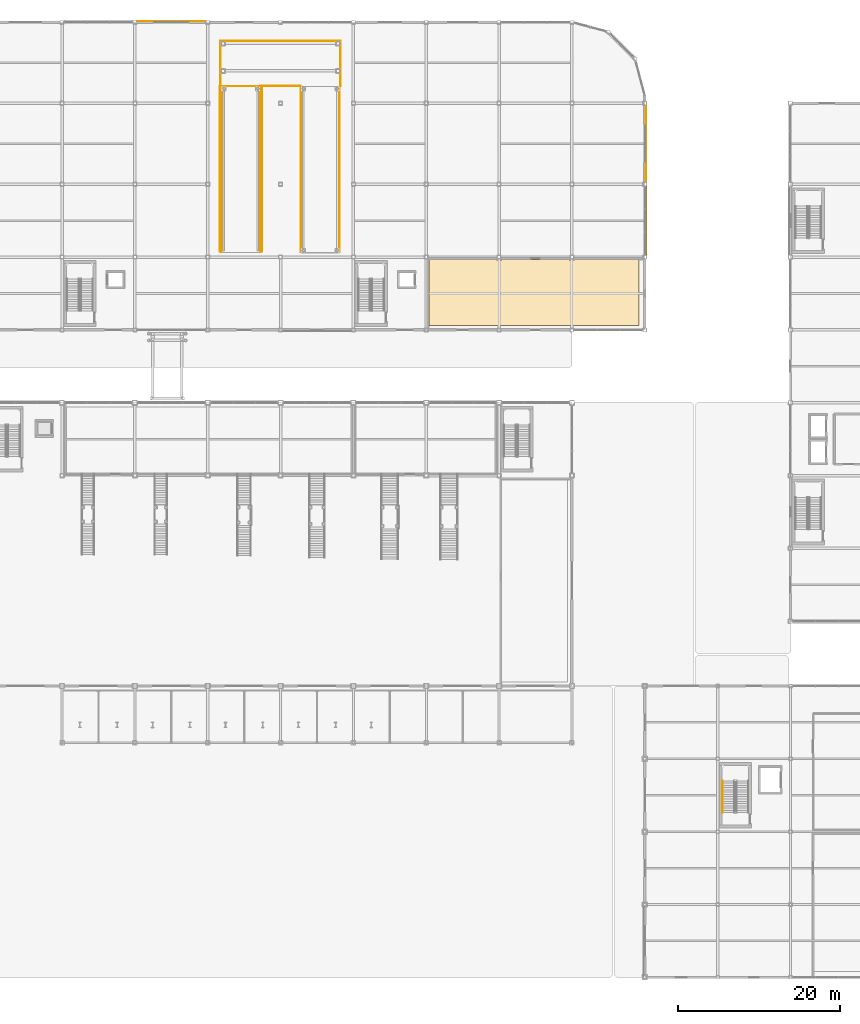
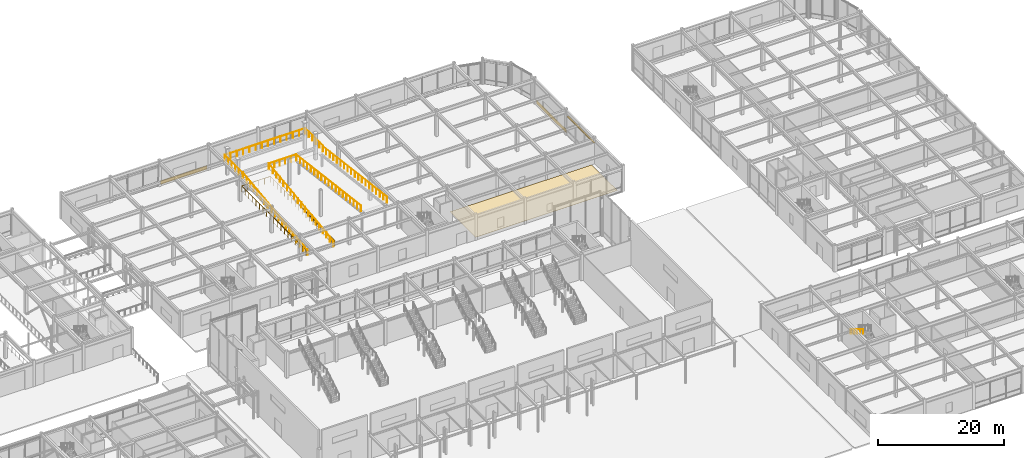
# One storey, part 115 of 123: 8 railings, 3 coverings, 1 shading device.
"""IFC4 building model written with IfcOpenShell, lengths in metres."""

from ifc_helpers import new_model, si_unit, direction, frame, origin, origin_2d, place, context, subcontext, project, spatial, polyline, rectangle, circle, outline, extrude, material, layer, layer_set, material_profile, profile_set, type_object, element, save


model = new_model("IFC4")

# Units and contexts
model_context = context("Model", 3, precision=1e-05, world=origin(), true_north=direction((0.0, 1.0)))
body_context = subcontext(model_context, "Body", "Model", "MODEL_VIEW")
ifc_project = project(units=[si_unit("LENGTHUNIT", "METRE"), si_unit("AREAUNIT", "SQUARE_METRE"), si_unit("VOLUMEUNIT", "CUBIC_METRE"), si_unit("PLANEANGLEUNIT", "RADIAN"), si_unit("MASSUNIT", "GRAM", prefix="KILO")], contexts=[model_context])

# Site, building, storey
site_placement = place(None, origin())
site = spatial("IfcSite", under=ifc_project, at=site_placement, CompositionType="ELEMENT")
building_placement = place(site_placement, origin())
building = spatial("IfcBuilding", under=site, at=building_placement, Name="Suzunagisa Mobility Hub", CompositionType="ELEMENT")
storey_placement = place(building_placement, origin())
storey = spatial("IfcBuildingStorey", under=building, at=storey_placement, Name="L00", CompositionType="ELEMENT", Elevation=0.0)

# Railings
ifc_material_1 = material(Name="Stainless Steel SUS304", Category="metal")
railing_type_1 = type_object("IfcRailingType", Name="Interior Well Guardrail IGR-01", PredefinedType="GUARDRAIL", material=ifc_material_1)
railing_1_placement = place(storey_placement, frame((73.699951171875, 89.60009765625, 0.0)))
element("IfcRailing", 1, at=railing_1_placement, inside=storey, type_object=railing_type_1, Name="L00 Vehicle Ramp Up-Flight Side Guard RG-17", PredefinedType="GUARDRAIL", context=body_context, shape_type="SweptSolid", body=[
    extrude(circle(Radius=0.02392578125, at=origin_2d()), frame((0.0, 0.0, 1.09619140625), z_axis=(0.0, 0.992277511315, 0.124037657743), x_axis=(-1.0, 0.0, 0.0)), (0.0, 0.0, 1.0), 20.55859375),
    extrude(circle(Radius=0.02099609375, at=origin_2d()), origin(), (0.0, 0.0, 1.0), 1.072021484375),
    extrude(circle(Radius=0.02099609375, at=origin_2d()), frame((0.0, 1.13330078125, 0.1416015625)), (0.0, 0.0, 1.0), 1.072021484375),
    extrude(circle(Radius=0.02099609375, at=origin_2d()), frame((0.0, 2.2666015625, 0.283447265625)), (0.0, 0.0, 1.0), 1.072021484375),
    extrude(circle(Radius=0.02099609375, at=origin_2d()), frame((0.0, 3.39990234375, 0.425048828125)), (0.0, 0.0, 1.0), 1.072021484375),
    extrude(circle(Radius=0.02099609375, at=origin_2d()), frame((0.0, 4.533203125, 0.566650390625)), (0.0, 0.0, 1.0), 1.072021484375),
    extrude(circle(Radius=0.02099609375, at=origin_2d()), frame((0.0, 5.666748046875, 0.708251953125)), (0.0, 0.0, 1.0), 1.072021484375),
    extrude(circle(Radius=0.02099609375, at=origin_2d()), frame((0.0, 6.800048828125, 0.85009765625)), (0.0, 0.0, 1.0), 1.072021484375),
    extrude(circle(Radius=0.02099609375, at=origin_2d()), frame((0.0, 7.933349609375, 0.99169921875)), (0.0, 0.0, 1.0), 1.072021484375),
    extrude(circle(Radius=0.02099609375, at=origin_2d()), frame((0.0, 9.066650390625, 1.13330078125)), (0.0, 0.0, 1.0), 1.072021484375),
    extrude(circle(Radius=0.02099609375, at=origin_2d()), frame((0.0, 10.199951171875, 1.27490234375)), (0.0, 0.0, 1.0), 1.072021484375),
    extrude(circle(Radius=0.02099609375, at=origin_2d()), frame((0.0, 11.333251953125, 1.416748046875)), (0.0, 0.0, 1.0), 1.072021484375),
    extrude(circle(Radius=0.02099609375, at=origin_2d()), frame((0.0, 12.466552734375, 1.558349609375)), (0.0, 0.0, 1.0), 1.072021484375),
    extrude(circle(Radius=0.02099609375, at=origin_2d()), frame((0.0, 13.599853515625, 1.699951171875)), (0.0, 0.0, 1.0), 1.072021484375),
    extrude(circle(Radius=0.02099609375, at=origin_2d()), frame((0.0, 14.733154296875, 1.841796875)), (0.0, 0.0, 1.0), 1.072021484375),
    extrude(circle(Radius=0.02099609375, at=origin_2d()), frame((0.0, 15.86669921875, 1.9833984375)), (0.0, 0.0, 1.0), 1.072021484375),
    extrude(circle(Radius=0.02099609375, at=origin_2d()), frame((0.0, 17.0, 2.125)), (0.0, 0.0, 1.0), 1.072021484375),
    extrude(circle(Radius=0.02099609375, at=origin_2d()), frame((0.0, 18.13330078125, 2.2666015625)), (0.0, 0.0, 1.0), 1.072021484375),
    extrude(circle(Radius=0.02099609375, at=origin_2d()), frame((0.0, 19.2666015625, 2.408447265625)), (0.0, 0.0, 1.0), 1.072021484375),
    extrude(circle(Radius=0.02099609375, at=origin_2d()), frame((0.0, 20.39990234375, 2.550048828125)), (0.0, 0.0, 1.0), 1.072021484375),
])
railing_2_placement = place(storey_placement, frame((83.5, 110.0, 2.550048828125)))
element("IfcRailing", 2, at=railing_2_placement, inside=storey, type_object=railing_type_1, Name="L00 Vehicle Ramp Upper-Flight Side Guard RG-18", PredefinedType="GUARDRAIL", context=body_context, shape_type="SweptSolid", body=[
    extrude(circle(Radius=0.02392578125, at=origin_2d()), frame((0.0, 0.0, 1.09619140625), z_axis=(0.0, -0.992277511315, 0.124037657743), x_axis=(1.0, 0.0, 0.0)), (0.0, 0.0, 1.0), 20.55859375),
    extrude(circle(Radius=0.02099609375, at=origin_2d()), origin(), (0.0, 0.0, 1.0), 1.072021484375),
    extrude(circle(Radius=0.02099609375, at=origin_2d()), frame((0.0, -1.13330078125, 0.1416015625)), (0.0, 0.0, 1.0), 1.072021484375),
    extrude(circle(Radius=0.02099609375, at=origin_2d()), frame((0.0, -2.2666015625, 0.283447265625)), (0.0, 0.0, 1.0), 1.072021484375),
    extrude(circle(Radius=0.02099609375, at=origin_2d()), frame((0.0, -3.39990234375, 0.425048828125)), (0.0, 0.0, 1.0), 1.072021484375),
    extrude(circle(Radius=0.02099609375, at=origin_2d()), frame((0.0, -4.533203125, 0.566650390625)), (0.0, 0.0, 1.0), 1.072021484375),
    extrude(circle(Radius=0.02099609375, at=origin_2d()), frame((0.0, -5.666748046875, 0.708251953125)), (0.0, 0.0, 1.0), 1.072021484375),
    extrude(circle(Radius=0.02099609375, at=origin_2d()), frame((0.0, -6.800048828125, 0.85009765625)), (0.0, 0.0, 1.0), 1.072021484375),
    extrude(circle(Radius=0.02099609375, at=origin_2d()), frame((0.0, -7.933349609375, 0.99169921875)), (0.0, 0.0, 1.0), 1.072021484375),
    extrude(circle(Radius=0.02099609375, at=origin_2d()), frame((0.0, -9.066650390625, 1.13330078125)), (0.0, 0.0, 1.0), 1.072021484375),
    extrude(circle(Radius=0.02099609375, at=origin_2d()), frame((0.0, -10.199951171875, 1.27490234375)), (0.0, 0.0, 1.0), 1.072021484375),
    extrude(circle(Radius=0.02099609375, at=origin_2d()), frame((0.0, -11.333251953125, 1.416748046875)), (0.0, 0.0, 1.0), 1.072021484375),
    extrude(circle(Radius=0.02099609375, at=origin_2d()), frame((0.0, -12.466552734375, 1.558349609375)), (0.0, 0.0, 1.0), 1.072021484375),
    extrude(circle(Radius=0.02099609375, at=origin_2d()), frame((0.0, -13.599853515625, 1.699951171875)), (0.0, 0.0, 1.0), 1.072021484375),
    extrude(circle(Radius=0.02099609375, at=origin_2d()), frame((0.0, -14.733154296875, 1.841796875)), (0.0, 0.0, 1.0), 1.072021484375),
    extrude(circle(Radius=0.02099609375, at=origin_2d()), frame((0.0, -15.86669921875, 1.9833984375)), (0.0, 0.0, 1.0), 1.072021484375),
    extrude(circle(Radius=0.02099609375, at=origin_2d()), frame((0.0, -17.0, 2.125)), (0.0, 0.0, 1.0), 1.072021484375),
    extrude(circle(Radius=0.02099609375, at=origin_2d()), frame((0.0, -18.13330078125, 2.2666015625)), (0.0, 0.0, 1.0), 1.072021484375),
    extrude(circle(Radius=0.02099609375, at=origin_2d()), frame((0.0, -19.2666015625, 2.408447265625)), (0.0, 0.0, 1.0), 1.072021484375),
    extrude(circle(Radius=0.02099609375, at=origin_2d()), frame((0.0, -20.39990234375, 2.550048828125)), (0.0, 0.0, 1.0), 1.072021484375),
])
railing_3_placement = place(storey_placement, frame((78.5, 89.60009765625, 0.0)))
element("IfcRailing", 3, at=railing_3_placement, inside=storey, type_object=railing_type_1, Name="L00 Vehicle Ramp Up-Flight Side Guard RG-19", PredefinedType="GUARDRAIL", context=body_context, shape_type="SweptSolid", body=[
    extrude(circle(Radius=0.02392578125, at=origin_2d()), frame((0.0, 0.0, 1.09619140625), z_axis=(0.0, 0.992277511315, 0.124037657743), x_axis=(-1.0, 0.0, 0.0)), (0.0, 0.0, 1.0), 20.55859375),
    extrude(circle(Radius=0.02099609375, at=origin_2d()), origin(), (0.0, 0.0, 1.0), 1.072021484375),
    extrude(circle(Radius=0.02099609375, at=origin_2d()), frame((0.0, 1.13330078125, 0.1416015625)), (0.0, 0.0, 1.0), 1.072021484375),
    extrude(circle(Radius=0.02099609375, at=origin_2d()), frame((0.0, 2.2666015625, 0.283447265625)), (0.0, 0.0, 1.0), 1.072021484375),
    extrude(circle(Radius=0.02099609375, at=origin_2d()), frame((0.0, 3.39990234375, 0.425048828125)), (0.0, 0.0, 1.0), 1.072021484375),
    extrude(circle(Radius=0.02099609375, at=origin_2d()), frame((0.0, 4.533203125, 0.566650390625)), (0.0, 0.0, 1.0), 1.072021484375),
    extrude(circle(Radius=0.02099609375, at=origin_2d()), frame((0.0, 5.666748046875, 0.708251953125)), (0.0, 0.0, 1.0), 1.072021484375),
    extrude(circle(Radius=0.02099609375, at=origin_2d()), frame((0.0, 6.800048828125, 0.85009765625)), (0.0, 0.0, 1.0), 1.072021484375),
    extrude(circle(Radius=0.02099609375, at=origin_2d()), frame((0.0, 7.933349609375, 0.99169921875)), (0.0, 0.0, 1.0), 1.072021484375),
    extrude(circle(Radius=0.02099609375, at=origin_2d()), frame((0.0, 9.066650390625, 1.13330078125)), (0.0, 0.0, 1.0), 1.072021484375),
    extrude(circle(Radius=0.02099609375, at=origin_2d()), frame((0.0, 10.199951171875, 1.27490234375)), (0.0, 0.0, 1.0), 1.072021484375),
    extrude(circle(Radius=0.02099609375, at=origin_2d()), frame((0.0, 11.333251953125, 1.416748046875)), (0.0, 0.0, 1.0), 1.072021484375),
    extrude(circle(Radius=0.02099609375, at=origin_2d()), frame((0.0, 12.466552734375, 1.558349609375)), (0.0, 0.0, 1.0), 1.072021484375),
    extrude(circle(Radius=0.02099609375, at=origin_2d()), frame((0.0, 13.599853515625, 1.699951171875)), (0.0, 0.0, 1.0), 1.072021484375),
    extrude(circle(Radius=0.02099609375, at=origin_2d()), frame((0.0, 14.733154296875, 1.841796875)), (0.0, 0.0, 1.0), 1.072021484375),
    extrude(circle(Radius=0.02099609375, at=origin_2d()), frame((0.0, 15.86669921875, 1.9833984375)), (0.0, 0.0, 1.0), 1.072021484375),
    extrude(circle(Radius=0.02099609375, at=origin_2d()), frame((0.0, 17.0, 2.125)), (0.0, 0.0, 1.0), 1.072021484375),
    extrude(circle(Radius=0.02099609375, at=origin_2d()), frame((0.0, 18.13330078125, 2.2666015625)), (0.0, 0.0, 1.0), 1.072021484375),
    extrude(circle(Radius=0.02099609375, at=origin_2d()), frame((0.0, 19.2666015625, 2.408447265625)), (0.0, 0.0, 1.0), 1.072021484375),
    extrude(circle(Radius=0.02099609375, at=origin_2d()), frame((0.0, 20.39990234375, 2.550048828125)), (0.0, 0.0, 1.0), 1.072021484375),
])
railing_4_placement = place(storey_placement, frame((88.300048828125, 110.0, 2.550048828125)))
element("IfcRailing", 4, at=railing_4_placement, inside=storey, type_object=railing_type_1, Name="L00 Vehicle Ramp Upper-Flight Side Guard RG-20", PredefinedType="GUARDRAIL", context=body_context, shape_type="SweptSolid", body=[
    extrude(circle(Radius=0.02392578125, at=origin_2d()), frame((0.0, 0.0, 1.09619140625), z_axis=(0.0, -0.992277511315, 0.124037657743), x_axis=(1.0, 0.0, 0.0)), (0.0, 0.0, 1.0), 20.55859375),
    extrude(circle(Radius=0.02099609375, at=origin_2d()), origin(), (0.0, 0.0, 1.0), 1.072021484375),
    extrude(circle(Radius=0.02099609375, at=origin_2d()), frame((0.0, -1.13330078125, 0.1416015625)), (0.0, 0.0, 1.0), 1.072021484375),
    extrude(circle(Radius=0.02099609375, at=origin_2d()), frame((0.0, -2.2666015625, 0.283447265625)), (0.0, 0.0, 1.0), 1.072021484375),
    extrude(circle(Radius=0.02099609375, at=origin_2d()), frame((0.0, -3.39990234375, 0.425048828125)), (0.0, 0.0, 1.0), 1.072021484375),
    extrude(circle(Radius=0.02099609375, at=origin_2d()), frame((0.0, -4.533203125, 0.566650390625)), (0.0, 0.0, 1.0), 1.072021484375),
    extrude(circle(Radius=0.02099609375, at=origin_2d()), frame((0.0, -5.666748046875, 0.708251953125)), (0.0, 0.0, 1.0), 1.072021484375),
    extrude(circle(Radius=0.02099609375, at=origin_2d()), frame((0.0, -6.800048828125, 0.85009765625)), (0.0, 0.0, 1.0), 1.072021484375),
    extrude(circle(Radius=0.02099609375, at=origin_2d()), frame((0.0, -7.933349609375, 0.99169921875)), (0.0, 0.0, 1.0), 1.072021484375),
    extrude(circle(Radius=0.02099609375, at=origin_2d()), frame((0.0, -9.066650390625, 1.13330078125)), (0.0, 0.0, 1.0), 1.072021484375),
    extrude(circle(Radius=0.02099609375, at=origin_2d()), frame((0.0, -10.199951171875, 1.27490234375)), (0.0, 0.0, 1.0), 1.072021484375),
    extrude(circle(Radius=0.02099609375, at=origin_2d()), frame((0.0, -11.333251953125, 1.416748046875)), (0.0, 0.0, 1.0), 1.072021484375),
    extrude(circle(Radius=0.02099609375, at=origin_2d()), frame((0.0, -12.466552734375, 1.558349609375)), (0.0, 0.0, 1.0), 1.072021484375),
    extrude(circle(Radius=0.02099609375, at=origin_2d()), frame((0.0, -13.599853515625, 1.699951171875)), (0.0, 0.0, 1.0), 1.072021484375),
    extrude(circle(Radius=0.02099609375, at=origin_2d()), frame((0.0, -14.733154296875, 1.841796875)), (0.0, 0.0, 1.0), 1.072021484375),
    extrude(circle(Radius=0.02099609375, at=origin_2d()), frame((0.0, -15.86669921875, 1.9833984375)), (0.0, 0.0, 1.0), 1.072021484375),
    extrude(circle(Radius=0.02099609375, at=origin_2d()), frame((0.0, -17.0, 2.125)), (0.0, 0.0, 1.0), 1.072021484375),
    extrude(circle(Radius=0.02099609375, at=origin_2d()), frame((0.0, -18.13330078125, 2.2666015625)), (0.0, 0.0, 1.0), 1.072021484375),
    extrude(circle(Radius=0.02099609375, at=origin_2d()), frame((0.0, -19.2666015625, 2.408447265625)), (0.0, 0.0, 1.0), 1.072021484375),
    extrude(circle(Radius=0.02099609375, at=origin_2d()), frame((0.0, -20.39990234375, 2.550048828125)), (0.0, 0.0, 1.0), 1.072021484375),
])
railing_5_placement = place(storey_placement, frame((73.60009765625, 110.10009765625, 2.550048828125)))
element("IfcRailing", 5, at=railing_5_placement, inside=storey, type_object=railing_type_1, Name="L00 Vehicle Ramp Turn-Deck Guardrail RG-21", PredefinedType="GUARDRAIL", context=body_context, shape_type="SweptSolid", body=[
    extrude(circle(Radius=0.02392578125, at=origin_2d()), frame((0.0, 0.0, 1.09619140625), z_axis=(0.0, 1.0, 0.0), x_axis=(-1.0, 0.0, 0.0)), (0.0, 0.0, 1.0), 5.599853515625),
    extrude(circle(Radius=0.02392578125, at=origin_2d()), frame((0.0, 5.599853515625, 1.09619140625), z_axis=(1.0, 0.0, 0.0), x_axis=(0.0, 1.0, 0.0)), (0.0, 0.0, 1.0), 14.7998046875),
    extrude(circle(Radius=0.02392578125, at=origin_2d()), frame((14.7998046875, 5.599853515625, 1.09619140625), z_axis=(0.0, -1.0, 0.0), x_axis=(1.0, 0.0, 0.0)), (0.0, 0.0, 1.0), 5.599853515625),
    extrude(circle(Radius=0.02099609375, at=origin_2d()), origin(), (0.0, 0.0, 1.0), 1.072021484375),
    extrude(circle(Radius=0.02099609375, at=origin_2d()), frame((0.0, 1.119873046875, 0.0)), (0.0, 0.0, 1.0), 1.072021484375),
    extrude(circle(Radius=0.02099609375, at=origin_2d()), frame((0.0, 2.239990234375, 0.0)), (0.0, 0.0, 1.0), 1.072021484375),
    extrude(circle(Radius=0.02099609375, at=origin_2d()), frame((0.0, 3.35986328125, 0.0)), (0.0, 0.0, 1.0), 1.072021484375),
    extrude(circle(Radius=0.02099609375, at=origin_2d()), frame((0.0, 4.47998046875, 0.0)), (0.0, 0.0, 1.0), 1.072021484375),
    extrude(circle(Radius=0.02099609375, at=origin_2d()), frame((0.0, 5.599853515625, 0.0)), (0.0, 0.0, 1.0), 1.072021484375),
    extrude(circle(Radius=0.02099609375, at=origin_2d()), frame((1.138427734375, 5.599853515625, 0.0)), (0.0, 0.0, 1.0), 1.072021484375),
    extrude(circle(Radius=0.02099609375, at=origin_2d()), frame((2.27685546875, 5.599853515625, 0.0)), (0.0, 0.0, 1.0), 1.072021484375),
    extrude(circle(Radius=0.02099609375, at=origin_2d()), frame((3.415283203125, 5.599853515625, 0.0)), (0.0, 0.0, 1.0), 1.072021484375),
    extrude(circle(Radius=0.02099609375, at=origin_2d()), frame((4.5537109375, 5.599853515625, 0.0)), (0.0, 0.0, 1.0), 1.072021484375),
    extrude(circle(Radius=0.02099609375, at=origin_2d()), frame((5.692138671875, 5.599853515625, 0.0)), (0.0, 0.0, 1.0), 1.072021484375),
    extrude(circle(Radius=0.02099609375, at=origin_2d()), frame((6.83056640625, 5.599853515625, 0.0)), (0.0, 0.0, 1.0), 1.072021484375),
    extrude(circle(Radius=0.02099609375, at=origin_2d()), frame((7.96923828125, 5.599853515625, 0.0)), (0.0, 0.0, 1.0), 1.072021484375),
    extrude(circle(Radius=0.02099609375, at=origin_2d()), frame((9.107666015625, 5.599853515625, 0.0)), (0.0, 0.0, 1.0), 1.072021484375),
    extrude(circle(Radius=0.02099609375, at=origin_2d()), frame((10.24609375, 5.599853515625, 0.0)), (0.0, 0.0, 1.0), 1.072021484375),
    extrude(circle(Radius=0.02099609375, at=origin_2d()), frame((11.384521484375, 5.599853515625, 0.0)), (0.0, 0.0, 1.0), 1.072021484375),
    extrude(circle(Radius=0.02099609375, at=origin_2d()), frame((12.52294921875, 5.599853515625, 0.0)), (0.0, 0.0, 1.0), 1.072021484375),
    extrude(circle(Radius=0.02099609375, at=origin_2d()), frame((13.661376953125, 5.599853515625, 0.0)), (0.0, 0.0, 1.0), 1.072021484375),
    extrude(circle(Radius=0.02099609375, at=origin_2d()), frame((14.7998046875, 5.599853515625, 0.0)), (0.0, 0.0, 1.0), 1.072021484375),
    extrude(circle(Radius=0.02099609375, at=origin_2d()), frame((14.7998046875, 4.47998046875, 0.0)), (0.0, 0.0, 1.0), 1.072021484375),
    extrude(circle(Radius=0.02099609375, at=origin_2d()), frame((14.7998046875, 3.35986328125, 0.0)), (0.0, 0.0, 1.0), 1.072021484375),
    extrude(circle(Radius=0.02099609375, at=origin_2d()), frame((14.7998046875, 2.239990234375, 0.0)), (0.0, 0.0, 1.0), 1.072021484375),
    extrude(circle(Radius=0.02099609375, at=origin_2d()), frame((14.7998046875, 1.119873046875, 0.0)), (0.0, 0.0, 1.0), 1.072021484375),
    extrude(circle(Radius=0.02099609375, at=origin_2d()), frame((14.7998046875, 0.0, 0.0)), (0.0, 0.0, 1.0), 1.072021484375),
])
railing_6_placement = place(storey_placement, frame((78.5, 110.1298828125, 2.550048828125)))
element("IfcRailing", 6, at=railing_6_placement, inside=storey, type_object=railing_type_1, Name="L00 Vehicle Ramp Turn-Slot Guardrail RG-22", PredefinedType="GUARDRAIL", context=body_context, shape_type="SweptSolid", body=[
    extrude(circle(Radius=0.02392578125, at=origin_2d()), frame((0.0, 0.0, 1.09619140625), z_axis=(1.0, 0.0, 0.0), x_axis=(0.0, 1.0, 0.0)), (0.0, 0.0, 1.0), 5.0),
    extrude(circle(Radius=0.02099609375, at=origin_2d()), origin(), (0.0, 0.0, 1.0), 1.072021484375),
    extrude(circle(Radius=0.02099609375, at=origin_2d()), frame((1.0, 0.0, 0.0)), (0.0, 0.0, 1.0), 1.072021484375),
    extrude(circle(Radius=0.02099609375, at=origin_2d()), frame((2.0, 0.0, 0.0)), (0.0, 0.0, 1.0), 1.072021484375),
    extrude(circle(Radius=0.02099609375, at=origin_2d()), frame((3.0, 0.0, 0.0)), (0.0, 0.0, 1.0), 1.072021484375),
    extrude(circle(Radius=0.02099609375, at=origin_2d()), frame((4.0, 0.0, 0.0)), (0.0, 0.0, 1.0), 1.072021484375),
    extrude(circle(Radius=0.02099609375, at=origin_2d()), frame((5.0, 0.0, 0.0)), (0.0, 0.0, 1.0), 1.072021484375),
])
railing_7_placement = place(storey_placement, frame((73.47998046875, 89.699951171875, 0.0)))
element("IfcRailing", 7, at=railing_7_placement, inside=storey, type_object=railing_type_1, Name="L00 Ramp Entry Well Guardrail RG-23", PredefinedType="GUARDRAIL", context=body_context, shape_type="SweptSolid", body=[
    extrude(circle(Radius=0.02392578125, at=origin_2d()), frame((0.0, 0.0, 1.09619140625), z_axis=(0.0, 1.0, 0.0), x_axis=(-1.0, 0.0, 0.0)), (0.0, 0.0, 1.0), 20.400146484375),
    extrude(circle(Radius=0.02392578125, at=origin_2d()), frame((0.0, 20.400146484375, 1.09619140625), z_axis=(1.0, 0.0, 0.0), x_axis=(0.0, 1.0, 0.0)), (0.0, 0.0, 1.0), 5.239990234375),
    extrude(circle(Radius=0.02392578125, at=origin_2d()), frame((5.239990234375, 20.400146484375, 1.09619140625), z_axis=(0.0, -1.0, 0.0), x_axis=(1.0, 0.0, 0.0)), (0.0, 0.0, 1.0), 20.400146484375),
    extrude(circle(Radius=0.02099609375, at=origin_2d()), origin(), (0.0, 0.0, 1.0), 1.072021484375),
    extrude(circle(Radius=0.02099609375, at=origin_2d()), frame((0.0, 1.13330078125, 0.0)), (0.0, 0.0, 1.0), 1.072021484375),
    extrude(circle(Radius=0.02099609375, at=origin_2d()), frame((0.0, 2.2666015625, 0.0)), (0.0, 0.0, 1.0), 1.072021484375),
    extrude(circle(Radius=0.02099609375, at=origin_2d()), frame((0.0, 3.39990234375, 0.0)), (0.0, 0.0, 1.0), 1.072021484375),
    extrude(circle(Radius=0.02099609375, at=origin_2d()), frame((0.0, 4.533447265625, 0.0)), (0.0, 0.0, 1.0), 1.072021484375),
    extrude(circle(Radius=0.02099609375, at=origin_2d()), frame((0.0, 5.666748046875, 0.0)), (0.0, 0.0, 1.0), 1.072021484375),
    extrude(circle(Radius=0.02099609375, at=origin_2d()), frame((0.0, 6.800048828125, 0.0)), (0.0, 0.0, 1.0), 1.072021484375),
    extrude(circle(Radius=0.02099609375, at=origin_2d()), frame((0.0, 7.933349609375, 0.0)), (0.0, 0.0, 1.0), 1.072021484375),
    extrude(circle(Radius=0.02099609375, at=origin_2d()), frame((0.0, 9.066650390625, 0.0)), (0.0, 0.0, 1.0), 1.072021484375),
    extrude(circle(Radius=0.02099609375, at=origin_2d()), frame((0.0, 10.2001953125, 0.0)), (0.0, 0.0, 1.0), 1.072021484375),
    extrude(circle(Radius=0.02099609375, at=origin_2d()), frame((0.0, 11.33349609375, 0.0)), (0.0, 0.0, 1.0), 1.072021484375),
    extrude(circle(Radius=0.02099609375, at=origin_2d()), frame((0.0, 12.466796875, 0.0)), (0.0, 0.0, 1.0), 1.072021484375),
    extrude(circle(Radius=0.02099609375, at=origin_2d()), frame((0.0, 13.60009765625, 0.0)), (0.0, 0.0, 1.0), 1.072021484375),
    extrude(circle(Radius=0.02099609375, at=origin_2d()), frame((0.0, 14.7333984375, 0.0)), (0.0, 0.0, 1.0), 1.072021484375),
    extrude(circle(Radius=0.02099609375, at=origin_2d()), frame((0.0, 15.86669921875, 0.0)), (0.0, 0.0, 1.0), 1.072021484375),
    extrude(circle(Radius=0.02099609375, at=origin_2d()), frame((0.0, 17.0, 0.0)), (0.0, 0.0, 1.0), 1.072021484375),
    extrude(circle(Radius=0.02099609375, at=origin_2d()), frame((0.0, 18.133544921875, 0.0)), (0.0, 0.0, 1.0), 1.072021484375),
    extrude(circle(Radius=0.02099609375, at=origin_2d()), frame((0.0, 19.266845703125, 0.0)), (0.0, 0.0, 1.0), 1.072021484375),
    extrude(circle(Radius=0.02099609375, at=origin_2d()), frame((0.0, 20.400146484375, 0.0)), (0.0, 0.0, 1.0), 1.072021484375),
    extrude(circle(Radius=0.02099609375, at=origin_2d()), frame((1.048095703125, 20.400146484375, 0.0)), (0.0, 0.0, 1.0), 1.072021484375),
    extrude(circle(Radius=0.02099609375, at=origin_2d()), frame((2.095947265625, 20.400146484375, 0.0)), (0.0, 0.0, 1.0), 1.072021484375),
    extrude(circle(Radius=0.02099609375, at=origin_2d()), frame((3.14404296875, 20.400146484375, 0.0)), (0.0, 0.0, 1.0), 1.072021484375),
    extrude(circle(Radius=0.02099609375, at=origin_2d()), frame((4.19189453125, 20.400146484375, 0.0)), (0.0, 0.0, 1.0), 1.072021484375),
    extrude(circle(Radius=0.02099609375, at=origin_2d()), frame((5.239990234375, 20.400146484375, 0.0)), (0.0, 0.0, 1.0), 1.072021484375),
    extrude(circle(Radius=0.02099609375, at=origin_2d()), frame((5.239990234375, 19.266845703125, 0.0)), (0.0, 0.0, 1.0), 1.072021484375),
    extrude(circle(Radius=0.02099609375, at=origin_2d()), frame((5.239990234375, 18.133544921875, 0.0)), (0.0, 0.0, 1.0), 1.072021484375),
    extrude(circle(Radius=0.02099609375, at=origin_2d()), frame((5.239990234375, 17.0, 0.0)), (0.0, 0.0, 1.0), 1.072021484375),
    extrude(circle(Radius=0.02099609375, at=origin_2d()), frame((5.239990234375, 15.86669921875, 0.0)), (0.0, 0.0, 1.0), 1.072021484375),
    extrude(circle(Radius=0.02099609375, at=origin_2d()), frame((5.239990234375, 14.7333984375, 0.0)), (0.0, 0.0, 1.0), 1.072021484375),
    extrude(circle(Radius=0.02099609375, at=origin_2d()), frame((5.239990234375, 13.60009765625, 0.0)), (0.0, 0.0, 1.0), 1.072021484375),
    extrude(circle(Radius=0.02099609375, at=origin_2d()), frame((5.239990234375, 12.466796875, 0.0)), (0.0, 0.0, 1.0), 1.072021484375),
    extrude(circle(Radius=0.02099609375, at=origin_2d()), frame((5.239990234375, 11.33349609375, 0.0)), (0.0, 0.0, 1.0), 1.072021484375),
    extrude(circle(Radius=0.02099609375, at=origin_2d()), frame((5.239990234375, 10.2001953125, 0.0)), (0.0, 0.0, 1.0), 1.072021484375),
    extrude(circle(Radius=0.02099609375, at=origin_2d()), frame((5.239990234375, 9.066650390625, 0.0)), (0.0, 0.0, 1.0), 1.072021484375),
    extrude(circle(Radius=0.02099609375, at=origin_2d()), frame((5.239990234375, 7.933349609375, 0.0)), (0.0, 0.0, 1.0), 1.072021484375),
    extrude(circle(Radius=0.02099609375, at=origin_2d()), frame((5.239990234375, 6.800048828125, 0.0)), (0.0, 0.0, 1.0), 1.072021484375),
    extrude(circle(Radius=0.02099609375, at=origin_2d()), frame((5.239990234375, 5.666748046875, 0.0)), (0.0, 0.0, 1.0), 1.072021484375),
    extrude(circle(Radius=0.02099609375, at=origin_2d()), frame((5.239990234375, 4.533447265625, 0.0)), (0.0, 0.0, 1.0), 1.072021484375),
    extrude(circle(Radius=0.02099609375, at=origin_2d()), frame((5.239990234375, 3.39990234375, 0.0)), (0.0, 0.0, 1.0), 1.072021484375),
    extrude(circle(Radius=0.02099609375, at=origin_2d()), frame((5.239990234375, 2.2666015625, 0.0)), (0.0, 0.0, 1.0), 1.072021484375),
    extrude(circle(Radius=0.02099609375, at=origin_2d()), frame((5.239990234375, 1.13330078125, 0.0)), (0.0, 0.0, 1.0), 1.072021484375),
    extrude(circle(Radius=0.02099609375, at=origin_2d()), frame((5.239990234375, 0.0, 0.0)), (0.0, 0.0, 1.0), 1.072021484375),
])

# Coverings
ifc_material_2 = material(Name="Polished Aggregate Terrazzo Finish")
ifc_layer_1 = layer(ifc_material_2, 0.02001953125)
ifc_layer_set_1 = layer_set([ifc_layer_1], Name="Polished Aggregate Terrazzo Finish")
covering_type_1 = type_object("IfcCoveringType", Name="Polished Terrazzo Heavy-Traffic Flooring FLR-01", PredefinedType="FLOORING", material=ifc_layer_set_1)
covering_1_placement = place(storey_placement, origin())
element("IfcCovering", 8, at=covering_1_placement, inside=storey, type_object=covering_type_1, Name="L00 Foam Proportioning and Charger Switchgear Room Terrazzo Flooring", PredefinedType="FLOORING", context=body_context, shape_type="SweptSolid", body=[
    extrude(outline(polyline([(107.655029296875, 88.679931640625), (107.655029296875, 88.655029296875), (108.344970703125, 88.655029296875), (108.344970703125, 88.679931640625), (116.655029296875, 88.679931640625), (116.655029296875, 88.655029296875), (117.344970703125, 88.655029296875), (117.344970703125, 88.679931640625), (125.280029296875, 88.679931640625), (125.280029296875, 80.52001953125), (99.320068359375, 80.52001953125), (99.320068359375, 88.655029296875), (99.344970703125, 88.655029296875), (99.344970703125, 88.679931640625), (107.655029296875, 88.679931640625)])), origin(), (0.0, 0.0, 1.0), 0.02001953125),
])
ifc_material_3 = material(Name="Vitreous Porcelain Enamel Aluminum Cladding", Category="aluminium")
ifc_layer_2 = layer(ifc_material_3, 0.034912109375)
ifc_layer_set_2 = layer_set([ifc_layer_2], Name="Vitreous Porcelain Enamel Aluminum Cladding")
covering_type_2 = type_object("IfcCoveringType", Name="Porcelain Enamel Spandrel Cladding Band CLD-01", PredefinedType="CLADDING", material=ifc_layer_set_2)
covering_2_placement = place(storey_placement, frame((126.1474609375, 103.0, 0.06005859375), z_axis=(0.0, 0.0, 1.0), x_axis=(0.0, 1.0, 0.0)))
element("IfcCovering", 9, at=covering_2_placement, inside=storey, type_object=covering_type_2, Name="L00 Porcelain Spandrel Cladding Band CLD-14", PredefinedType="CLADDING", context=body_context, shape_type="SweptSolid", body=[
    extrude(rectangle(XDim=9.449951171875, YDim=0.034912109375, at=origin_2d()), origin(), (0.0, 0.0, 1.0), 0.719970703125),
])
covering_3_placement = place(storey_placement, frame((67.5, 118.137451171875, 0.06005859375), z_axis=(0.0, 0.0, 1.0), x_axis=(-1.0, 0.0, 0.0)))
element("IfcCovering", 10, at=covering_3_placement, inside=storey, type_object=covering_type_2, Name="L00 Porcelain Spandrel Cladding Band CLD-15", PredefinedType="CLADDING", context=body_context, shape_type="SweptSolid", body=[
    extrude(rectangle(XDim=8.449951171875, YDim=0.034912109375, at=origin_2d()), origin(), (0.0, 0.0, 1.0), 0.719970703125),
])

# Shading device
ifc_material_4 = material(Name="Fluoropolymer-Coated Extruded Aluminum 6063-T5", Category="aluminium")
ifc_material_profile = material_profile(ifc_material_4, rectangle(XDim=0.280029296875, YDim=0.044921875, at=origin_2d()), Name="FIN-280x45")
ifc_profile_set = profile_set([ifc_material_profile], Name="Fluoropolymer-Coated Extruded Aluminum 6063-T5")
shading_device_type = type_object("IfcShadingDeviceType", Name="Streamline Aluminum Sunshade SF-02 FIN-280x45", PredefinedType="JALOUSIE", material=ifc_profile_set)
shading_device_placement = place(storey_placement, frame((126.107421875, 89.257568359375, 3.639892578125), z_axis=(0.0, 1.0, 0.0), x_axis=(-1.0, 0.0, 0.0)))
element("IfcShadingDevice", 11, at=shading_device_placement, inside=storey, type_object=shading_device_type, Name="L00 Streamline Speed-Rail Sunshade Fin SF-18", PredefinedType="JALOUSIE", context=body_context, shape_type="SweptSolid", body=[
    extrude(rectangle(XDim=0.280029296875, YDim=0.044921875, at=origin_2d()), origin(), (0.0, 0.0, 1.0), 8.48486328125),
])

# Railing
railing_type_2 = type_object("IfcRailingType", Name="Tubular Stainless Stair Handrail IHR-01", PredefinedType="HANDRAIL", material=ifc_material_1)
railing_8_placement = place(storey_placement, frame((135.610107421875, 24.280029296875, 2.719970703125)))
element("IfcRailing", 12, at=railing_8_placement, inside=storey, type_object=railing_type_2, Name="L00 ST-09 stair handrail 2", PredefinedType="HANDRAIL", context=body_context, shape_type="SweptSolid", body=[
    extrude(circle(Radius=0.02392578125, at=origin_2d()), frame((0.0, 0.0, 0.8759765625), z_axis=(0.0, -0.854770645689, 0.519005918337), x_axis=(1.0, 0.0, 0.0)), (0.0, 0.0, 1.0), 4.5859375),
    extrude(circle(Radius=0.02099609375, at=origin_2d()), origin(), (0.0, 0.0, 1.0), 0.851806640625),
    extrude(circle(Radius=0.02099609375, at=origin_2d()), frame((0.0, -0.97998046875, 0.594970703125)), (0.0, 0.0, 1.0), 0.851806640625),
    extrude(circle(Radius=0.02099609375, at=origin_2d()), frame((0.0, -1.9599609375, 1.18994140625)), (0.0, 0.0, 1.0), 0.851806640625),
    extrude(circle(Radius=0.02099609375, at=origin_2d()), frame((0.0, -2.93994140625, 1.78515625)), (0.0, 0.0, 1.0), 0.851806640625),
    extrude(circle(Radius=0.02099609375, at=origin_2d()), frame((0.0, -3.919921875, 2.380126953125)), (0.0, 0.0, 1.0), 0.851806640625),
])

save(model, "model.ifc")
